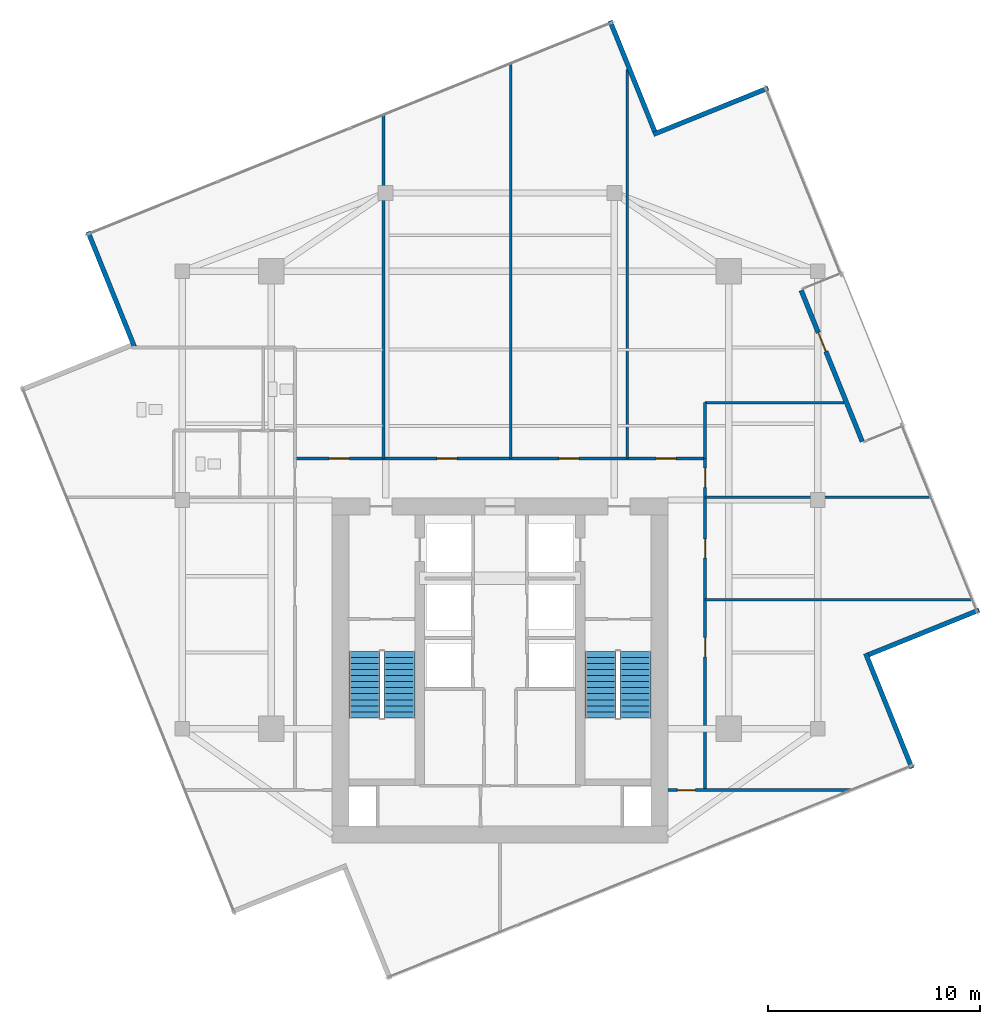
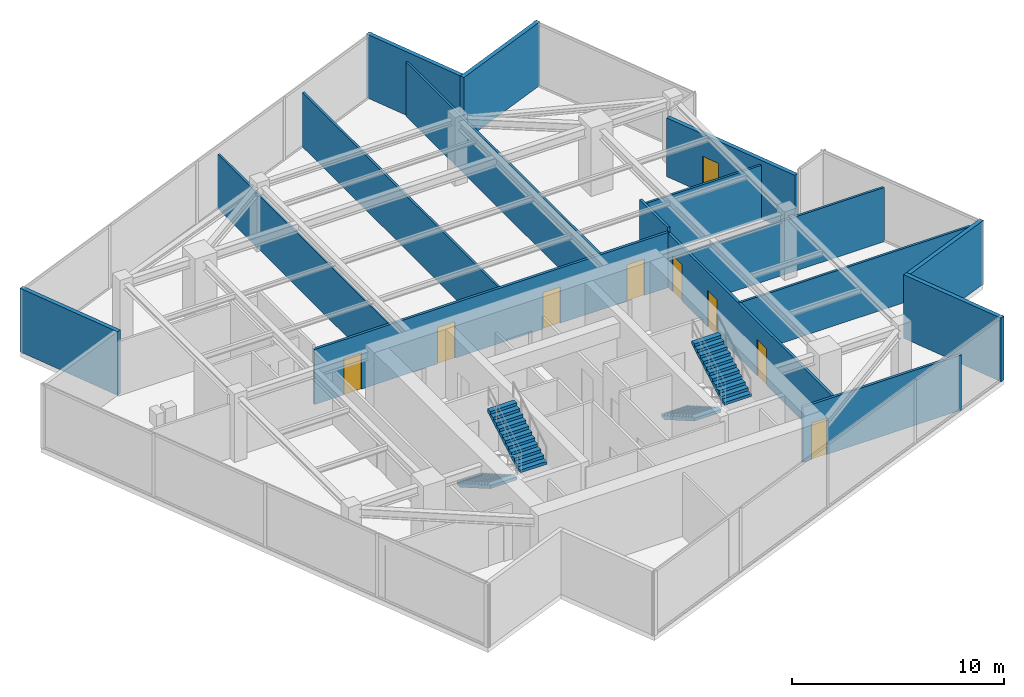
# One storey, part 19 of 21: 16 walls, 9 doors, 4 stair flights, 9 openings, 2 elements without a shape of their own.
"""IFC4 building model written with IfcOpenShell, lengths in metres."""

from ifc_helpers import new_model, si_unit, direction, frame, frame_2d, origin, place, context, subcontext, project, spatial, polyline, rectangle, outline, extrude, material, layer, layer_set, type_object, element, fill, aggregate, save


model = new_model("IFC4")

# Units and contexts
model_context = context("Model", 3, precision=1e-05, world=origin(), true_north=direction((0.0, 1.0)))
body_context = subcontext(model_context, "Body", "Model", "MODEL_VIEW")
ifc_project = project(units=[si_unit("LENGTHUNIT", "METRE"), si_unit("AREAUNIT", "SQUARE_METRE"), si_unit("VOLUMEUNIT", "CUBIC_METRE"), si_unit("PLANEANGLEUNIT", "RADIAN"), si_unit("MASSUNIT", "GRAM", prefix="KILO")], contexts=[model_context])

# Site, building, storey
site_placement = place(None, origin())
site = spatial("IfcSite", under=ifc_project, at=site_placement, CompositionType="ELEMENT")
building_placement = place(site_placement, origin())
building = spatial("IfcBuilding", under=site, at=building_placement, Name="Krantzveldt Concourse Tower", CompositionType="ELEMENT")
storey_placement = place(building_placement, frame((0.0, 0.0, 323.75)))
storey = spatial("IfcBuildingStorey", under=building, at=storey_placement, Name="L79", CompositionType="ELEMENT", Elevation=323.75)

# Walls
ifc_material_1 = material(Name="Anodised aluminium 6063-T6", Category="aluminium")
ifc_layer_1 = layer(ifc_material_1, 0.219970703125, Name="Anodised aluminium 6063-T6", Category="aluminium")
ifc_layer_set_1 = layer_set([ifc_layer_1], Name="Anodised aluminium 6063-T6 (WL-EXT-NOTCH220)")
wall_type_1 = type_object("IfcWallType", Name="WL-EXT-NOTCH220", PredefinedType="ELEMENTEDWALL", material=ifc_layer_set_1)
wall_1_placement = place(storey_placement, frame((43.302490234375, 44.102783203125, 0.0), z_axis=(0.0, 0.0, 1.0), x_axis=(-0.374613748588, 0.927180963658, 0.0)))
element("IfcWall", 1, at=wall_1_placement, inside=storey, type_object=wall_type_1, Name="EW-L79-NCH00", PredefinedType="ELEMENTEDWALL", context=body_context, shape_type="SweptSolid", body=[
    extrude(rectangle(XDim=5.625, YDim=0.219970703125, at=frame_2d((2.8125, 0.0))), origin(), (0.0, 0.0, 1.0), 3.669921875),
])
for number, where, z_axis, x_axis, name in (
    (2, (16.55078125, 39.361083984375, 0.0), (0.0, 0.0, 1.0), (0.374621884023, -0.927177676614, 0.0), "EW-L79-NCH02"),
    (3, (55.44921875, 14.038818359375, 0.0), (0.0, 0.0, 1.0), (-0.374621884023, 0.927177676614, 0.0), "EW-L79-NCH08"),
):
    element("IfcWall", number, at=place(storey_placement, frame(where, z_axis=z_axis, x_axis=x_axis)), inside=storey, type_object=wall_type_1, Name=name, PredefinedType="ELEMENTEDWALL", context=body_context, shape_type="SweptSolid", body=[
        extrude(rectangle(XDim=5.844970703125, YDim=0.219970703125, at=frame_2d((2.92236328125, 0.0))), origin(), (0.0, 0.0, 1.0), 3.669921875),
    ])
wall_2_placement = place(storey_placement, frame((53.40283203125, 19.3974609375, 0.0), z_axis=(0.0, 0.0, 1.0), x_axis=(0.927180963658, 0.374613748588, 0.0)))
element("IfcWall", 4, at=wall_2_placement, inside=storey, type_object=wall_type_1, Name="EW-L79-NCH09", PredefinedType="ELEMENTEDWALL", context=body_context, shape_type="SweptSolid", body=[
    extrude(rectangle(XDim=5.625, YDim=0.219970703125, at=frame_2d((2.8125, 0.0))), origin(), (0.0, 0.0, 1.0), 3.669921875),
])

# Wall, opening, door
wall_3_placement = place(storey_placement, frame((50.2197265625, 36.592041015625, 0.0), z_axis=(0.0, 0.0, 1.0), x_axis=(0.374628921717, -0.927174833035, 0.0)))
wall_3 = element("IfcWall", 5, at=wall_3_placement, inside=storey, type_object=wall_type_1, Name="EW-L79-TSLOT", PredefinedType="ELEMENTEDWALL", context=body_context, shape_type="SweptSolid", body=[
    extrude(rectangle(XDim=7.68994140625, YDim=0.219970703125, at=frame_2d((3.844970703125, 0.0))), origin(), (0.0, 0.0, 1.0), 3.3798828125),
])
opening_1_placement = place(wall_3_placement, frame((2.1533203125, 0.0, 0.0)))
opening_1 = element("IfcOpeningElement", 6, at=opening_1_placement, cuts=wall_3, Name="Opening D-EX95", PredefinedType="OPENING", context=body_context, shape_type="SweptSolid", body=[
    extrude(rectangle(XDim=0.949951171875, YDim=2.10009765625, at=frame_2d((0.47509765625, 1.050048828125))), frame((0.0, 0.1201171875, 0.0), z_axis=(0.0, -1.0, 0.0), x_axis=(1.0, 0.0, 0.0)), (0.0, 0.0, 1.0), 0.239990234375),
])
door_type_1 = type_object("IfcDoorType", Name="DR-EXT-950", OperationType="SINGLE_SWING_LEFT", PredefinedType="DOOR", material=ifc_material_1)
door_1_placement = place(opening_1_placement, origin())
door_1 = element("IfcDoor", 7, at=door_1_placement, inside=storey, type_object=door_type_1, Name="DR-L79-TERR", OperationType="SINGLE_SWING_LEFT", OverallHeight=2.10009765625, OverallWidth=0.949951171875, PredefinedType="DOOR", context=body_context, shape_type="SweptSolid", body=[
    extrude(rectangle(XDim=0.949951171875, YDim=2.10009765625, at=frame_2d((0.47509765625, 1.050048828125))), frame((0.0, 0.02490234375, 0.0), z_axis=(0.0, -1.0, 0.0), x_axis=(1.0, 0.0, 0.0)), (0.0, 0.0, 1.0), 0.050048828125),
])
fill(opening_1, door_1)

# Walls
wall_4_placement = place(storey_placement, frame((48.6611328125, 46.149169921875, 0.0), z_axis=(0.0, 0.0, 1.0), x_axis=(-0.927177676614, -0.374621884023, 0.0)))
element("IfcWall", 8, at=wall_4_placement, inside=storey, type_object=wall_type_1, Name="EW-L79-NCH15", PredefinedType="ELEMENTEDWALL", context=body_context, shape_type="SweptSolid", body=[
    extrude(rectangle(XDim=5.844970703125, YDim=0.219970703125, at=frame_2d((2.92236328125, 0.0))), origin(), (0.0, 0.0, 1.0), 3.669921875),
])
ifc_material_2 = material(Name="Fire-rated gypsum plasterboard on steel stud", Category="steel")
ifc_layer_2 = layer(ifc_material_2, 0.1201171875, Name="Fire-rated gypsum plasterboard on steel stud", Category="steel")
ifc_layer_set_2 = layer_set([ifc_layer_2], Name="Fire-rated gypsum plasterboard on steel stud (WL-PART-120)")
wall_type_2 = type_object("IfcWallType", Name="WL-PART-120", PredefinedType="PARTITIONING", material=ifc_layer_set_2)
wall_5_placement = place(storey_placement, frame((45.679931640625, 26.820068359375, 0.0), z_axis=(0.0, 0.0, 1.0), x_axis=(1.0, 0.0, 0.0)))
element("IfcWall", 9, at=wall_5_placement, inside=storey, type_object=wall_type_2, Name="WP-L79-PNTS", PredefinedType="PARTITIONING", context=body_context, shape_type="SweptSolid", body=[
    extrude(rectangle(XDim=10.666748046875, YDim=0.1201171875, at=frame_2d((5.33349609375, 0.0))), origin(), (0.0, 0.0, 1.0), 3.1298828125),
])
wall_6_placement = place(storey_placement, frame((45.679931640625, 31.300048828125, 0.0), z_axis=(0.0, 0.0, 1.0), x_axis=(1.0, 0.0, 0.0)))
element("IfcWall", 10, at=wall_6_placement, inside=storey, type_object=wall_type_2, Name="WP-L79-PNTN", PredefinedType="PARTITIONING", context=body_context, shape_type="SweptSolid", body=[
    extrude(rectangle(XDim=6.553955078125, YDim=0.1201171875, at=frame_2d((3.27685546875, 0.0))), origin(), (0.0, 0.0, 1.0), 3.1298828125),
])
wall_7_placement = place(storey_placement, frame((30.5, 28.659912109375, 0.0), z_axis=(0.0, 0.0, 1.0), x_axis=(0.0, 1.0, 0.0)))
element("IfcWall", 11, at=wall_7_placement, inside=storey, type_object=wall_type_2, Name="WP-L79-ND1", PredefinedType="PARTITIONING", context=body_context, shape_type="SweptSolid", body=[
    extrude(rectangle(XDim=16.212890625, YDim=0.1201171875, at=frame_2d((8.1064453125, 0.0))), origin(), (0.0, 0.0, 1.0), 3.1298828125),
])
wall_8_placement = place(storey_placement, frame((36.5, 28.659912109375, 0.0), z_axis=(0.0, 0.0, 1.0), x_axis=(0.0, 1.0, 0.0)))
element("IfcWall", 12, at=wall_8_placement, inside=storey, type_object=wall_type_2, Name="WP-L79-ND2", PredefinedType="PARTITIONING", context=body_context, shape_type="SweptSolid", body=[
    extrude(rectangle(XDim=18.63720703125, YDim=0.1201171875, at=frame_2d((9.318603515625, 0.0))), origin(), (0.0, 0.0, 1.0), 3.1298828125),
])
wall_9_placement = place(storey_placement, frame((42.0, 28.659912109375, 0.0), z_axis=(0.0, 0.0, 1.0), x_axis=(0.0, 1.0, 0.0)))
element("IfcWall", 13, at=wall_9_placement, inside=storey, type_object=wall_type_2, Name="WP-L79-ND3", PredefinedType="PARTITIONING", context=body_context, shape_type="SweptSolid", body=[
    extrude(rectangle(XDim=18.35986328125, YDim=0.1201171875, at=frame_2d((9.179931640625, 0.0))), origin(), (0.0, 0.0, 1.0), 3.1298828125),
])
wall_10_placement = place(storey_placement, frame((45.679931640625, 22.0, 0.0), z_axis=(0.0, 0.0, 1.0), x_axis=(1.0, 0.0, 0.0)))
element("IfcWall", 14, at=wall_10_placement, inside=storey, type_object=wall_type_2, Name="WP-L79-ED1", PredefinedType="PARTITIONING", context=body_context, shape_type="SweptSolid", body=[
    extrude(rectangle(XDim=12.614013671875, YDim=0.1201171875, at=frame_2d((6.30712890625, 0.0))), origin(), (0.0, 0.0, 1.0), 3.1298828125),
])

# Wall, openings, doors
ifc_layer_3 = layer(ifc_material_2, 0.139892578125, Name="Fire-rated gypsum plasterboard on steel stud", Category="steel")
ifc_layer_set_3 = layer_set([ifc_layer_3], Name="Fire-rated gypsum plasterboard on steel stud (WL-PART-140)")
wall_type_3 = type_object("IfcWallType", Name="WL-PART-140", PredefinedType="PARTITIONING", material=ifc_layer_set_3)
wall_11_placement = place(storey_placement, frame((26.320068359375, 28.659912109375, 0.0), z_axis=(0.0, 0.0, 1.0), x_axis=(1.0, 0.0, 0.0)))
wall_11 = element("IfcWall", 15, at=wall_11_placement, inside=storey, type_object=wall_type_3, Name="WP-L79-CNHDR", PredefinedType="PARTITIONING", context=body_context, shape_type="SweptSolid", body=[
    extrude(rectangle(XDim=19.35986328125, YDim=0.139892578125, at=frame_2d((9.679931640625, 0.0))), origin(), (0.0, 0.0, 1.0), 3.179931640625),
])
opening_2_placement = place(wall_11_placement, frame((1.614990234375, 0.0, 0.0)))
opening_2 = element("IfcOpeningElement", 16, at=opening_2_placement, cuts=wall_11, Name="Opening D-IN095", PredefinedType="OPENING", context=body_context, shape_type="SweptSolid", body=[
    extrude(rectangle(XDim=0.949951171875, YDim=2.10009765625, at=frame_2d((0.47509765625, 1.050048828125))), frame((0.0, 0.080078125, 0.0), z_axis=(0.0, -1.0, 0.0), x_axis=(1.0, 0.0, 0.0)), (0.0, 0.0, 1.0), 0.159912109375),
])
opening_3_placement = place(wall_11_placement, frame((6.705078125, 0.0, 0.0)))
opening_3 = element("IfcOpeningElement", 17, at=opening_3_placement, cuts=wall_11, Name="Opening D-IN095", PredefinedType="OPENING", context=body_context, shape_type="SweptSolid", body=[
    extrude(rectangle(XDim=0.949951171875, YDim=2.10009765625, at=frame_2d((0.47509765625, 1.050048828125))), frame((0.0, 0.080078125, 0.0), z_axis=(0.0, -1.0, 0.0), x_axis=(1.0, 0.0, 0.0)), (0.0, 0.0, 1.0), 0.159912109375),
])
opening_4_placement = place(wall_11_placement, frame((12.455078125, 0.0, 0.0)))
opening_4 = element("IfcOpeningElement", 18, at=opening_4_placement, cuts=wall_11, Name="Opening D-IN095", PredefinedType="OPENING", context=body_context, shape_type="SweptSolid", body=[
    extrude(rectangle(XDim=0.949951171875, YDim=2.10009765625, at=frame_2d((0.47509765625, 1.050048828125))), frame((0.0, 0.080078125, 0.0), z_axis=(0.0, -1.0, 0.0), x_axis=(1.0, 0.0, 0.0)), (0.0, 0.0, 1.0), 0.159912109375),
])
opening_5_placement = place(wall_11_placement, frame((17.044921875, 0.0, 0.0)))
opening_5 = element("IfcOpeningElement", 19, at=opening_5_placement, cuts=wall_11, Name="Opening D-IN095", PredefinedType="OPENING", context=body_context, shape_type="SweptSolid", body=[
    extrude(rectangle(XDim=0.949951171875, YDim=2.10009765625, at=frame_2d((0.47509765625, 1.050048828125))), frame((0.0, 0.080078125, 0.0), z_axis=(0.0, -1.0, 0.0), x_axis=(1.0, 0.0, 0.0)), (0.0, 0.0, 1.0), 0.159912109375),
])
ifc_material_3 = material(Name="Hardwood timber", Category="wood")
door_type_2 = type_object("IfcDoorType", Name="DR-INT-950", OperationType="SINGLE_SWING_LEFT", PredefinedType="DOOR", material=ifc_material_3)
door_2_placement = place(opening_2_placement, origin())
door_2 = element("IfcDoor", 20, at=door_2_placement, inside=storey, type_object=door_type_2, Name="DR-L79-NR1", OperationType="SINGLE_SWING_LEFT", OverallHeight=2.10009765625, OverallWidth=0.949951171875, PredefinedType="DOOR", context=body_context, shape_type="SweptSolid", body=[
    extrude(rectangle(XDim=0.949951171875, YDim=2.10009765625, at=frame_2d((0.47509765625, 1.050048828125))), frame((0.0, 0.02490234375, 0.0), z_axis=(0.0, -1.0, 0.0), x_axis=(1.0, 0.0, 0.0)), (0.0, 0.0, 1.0), 0.050048828125),
])
fill(opening_2, door_2)
door_3_placement = place(opening_3_placement, origin())
door_3 = element("IfcDoor", 21, at=door_3_placement, inside=storey, type_object=door_type_2, Name="DR-L79-NR2", OperationType="SINGLE_SWING_LEFT", OverallHeight=2.10009765625, OverallWidth=0.949951171875, PredefinedType="DOOR", context=body_context, shape_type="SweptSolid", body=[
    extrude(rectangle(XDim=0.949951171875, YDim=2.10009765625, at=frame_2d((0.47509765625, 1.050048828125))), frame((0.0, 0.02490234375, 0.0), z_axis=(0.0, -1.0, 0.0), x_axis=(1.0, 0.0, 0.0)), (0.0, 0.0, 1.0), 0.050048828125),
])
fill(opening_3, door_3)
door_4_placement = place(opening_4_placement, origin())
door_4 = element("IfcDoor", 22, at=door_4_placement, inside=storey, type_object=door_type_2, Name="DR-L79-NR3", OperationType="SINGLE_SWING_LEFT", OverallHeight=2.10009765625, OverallWidth=0.949951171875, PredefinedType="DOOR", context=body_context, shape_type="SweptSolid", body=[
    extrude(rectangle(XDim=0.949951171875, YDim=2.10009765625, at=frame_2d((0.47509765625, 1.050048828125))), frame((0.0, 0.02490234375, 0.0), z_axis=(0.0, -1.0, 0.0), x_axis=(1.0, 0.0, 0.0)), (0.0, 0.0, 1.0), 0.050048828125),
])
fill(opening_4, door_4)
door_5_placement = place(opening_5_placement, origin())
door_5 = element("IfcDoor", 23, at=door_5_placement, inside=storey, type_object=door_type_2, Name="DR-L79-NR4", OperationType="SINGLE_SWING_LEFT", OverallHeight=2.10009765625, OverallWidth=0.949951171875, PredefinedType="DOOR", context=body_context, shape_type="SweptSolid", body=[
    extrude(rectangle(XDim=0.949951171875, YDim=2.10009765625, at=frame_2d((0.47509765625, 1.050048828125))), frame((0.0, 0.02490234375, 0.0), z_axis=(0.0, -1.0, 0.0), x_axis=(1.0, 0.0, 0.0)), (0.0, 0.0, 1.0), 0.050048828125),
])
fill(opening_5, door_5)

wall_12_placement = place(storey_placement, frame((45.679931640625, 13.0, 0.0), z_axis=(0.0, 0.0, 1.0), x_axis=(0.0, 1.0, 0.0)))
wall_12 = element("IfcWall", 24, at=wall_12_placement, inside=storey, type_object=wall_type_3, Name="WP-L79-CEAST", PredefinedType="PARTITIONING", context=body_context, shape_type="SweptSolid", body=[
    extrude(rectangle(XDim=15.659912109375, YDim=0.139892578125, at=frame_2d((7.830078125, 0.0))), origin(), (0.0, 0.0, 1.0), 3.1298828125),
])
opening_6_placement = place(wall_12_placement, frame((14.300048828125, 0.0, 0.0)))
opening_6 = element("IfcOpeningElement", 25, at=opening_6_placement, cuts=wall_12, Name="Opening D-IN090", PredefinedType="OPENING", context=body_context, shape_type="SweptSolid", body=[
    extrude(rectangle(XDim=0.89990234375, YDim=2.10009765625, at=frame_2d((0.449951171875, 1.050048828125))), frame((0.0, 0.080078125, 0.0), z_axis=(0.0, -1.0, 0.0), x_axis=(1.0, 0.0, 0.0)), (0.0, 0.0, 1.0), 0.159912109375),
])
opening_7_placement = place(wall_12_placement, frame((6.300048828125, 0.0, 0.0)))
opening_7 = element("IfcOpeningElement", 26, at=opening_7_placement, cuts=wall_12, Name="Opening D-IN090", PredefinedType="OPENING", context=body_context, shape_type="SweptSolid", body=[
    extrude(rectangle(XDim=0.89990234375, YDim=2.10009765625, at=frame_2d((0.449951171875, 1.050048828125))), frame((0.0, 0.080078125, 0.0), z_axis=(0.0, -1.0, 0.0), x_axis=(1.0, 0.0, 0.0)), (0.0, 0.0, 1.0), 0.159912109375),
])
opening_8_placement = place(wall_12_placement, frame((10.9599609375, 0.0, 0.0)))
opening_8 = element("IfcOpeningElement", 27, at=opening_8_placement, cuts=wall_12, Name="Opening D-IN090", PredefinedType="OPENING", context=body_context, shape_type="SweptSolid", body=[
    extrude(rectangle(XDim=0.89990234375, YDim=2.10009765625, at=frame_2d((0.449951171875, 1.050048828125))), frame((0.0, 0.080078125, 0.0), z_axis=(0.0, -1.0, 0.0), x_axis=(1.0, 0.0, 0.0)), (0.0, 0.0, 1.0), 0.159912109375),
])
door_type_3 = type_object("IfcDoorType", Name="DR-INT-900", OperationType="SINGLE_SWING_LEFT", PredefinedType="DOOR", material=ifc_material_3)
door_6_placement = place(opening_6_placement, origin())
door_6 = element("IfcDoor", 28, at=door_6_placement, inside=storey, type_object=door_type_3, Name="DR-L79-PNT", OperationType="SINGLE_SWING_RIGHT", OverallHeight=2.10009765625, OverallWidth=0.89990234375, PredefinedType="DOOR", context=body_context, shape_type="SweptSolid", body=[
    extrude(rectangle(XDim=0.89990234375, YDim=2.10009765625, at=frame_2d((0.449951171875, 1.050048828125))), frame((0.0, 0.02490234375, 0.0), z_axis=(0.0, -1.0, 0.0), x_axis=(1.0, 0.0, 0.0)), (0.0, 0.0, 1.0), 0.050048828125),
])
fill(opening_6, door_6)
door_7_placement = place(opening_7_placement, origin())
door_7 = element("IfcDoor", 29, at=door_7_placement, inside=storey, type_object=door_type_3, Name="DR-L79-ER1", OperationType="SINGLE_SWING_LEFT", OverallHeight=2.10009765625, OverallWidth=0.89990234375, PredefinedType="DOOR", context=body_context, shape_type="SweptSolid", body=[
    extrude(rectangle(XDim=0.89990234375, YDim=2.10009765625, at=frame_2d((0.449951171875, 1.050048828125))), frame((0.0, 0.02490234375, 0.0), z_axis=(0.0, -1.0, 0.0), x_axis=(1.0, 0.0, 0.0)), (0.0, 0.0, 1.0), 0.050048828125),
])
fill(opening_7, door_7)
door_8_placement = place(opening_8_placement, origin())
door_8 = element("IfcDoor", 30, at=door_8_placement, inside=storey, type_object=door_type_3, Name="DR-L79-ER2", OperationType="SINGLE_SWING_LEFT", OverallHeight=2.10009765625, OverallWidth=0.89990234375, PredefinedType="DOOR", context=body_context, shape_type="SweptSolid", body=[
    extrude(rectangle(XDim=0.89990234375, YDim=2.10009765625, at=frame_2d((0.449951171875, 1.050048828125))), frame((0.0, 0.02490234375, 0.0), z_axis=(0.0, -1.0, 0.0), x_axis=(1.0, 0.0, 0.0)), (0.0, 0.0, 1.0), 0.050048828125),
])
fill(opening_8, door_8)

# Wall, opening, door
wall_13_placement = place(storey_placement, frame((43.919921875, 13.0, 0.0), z_axis=(0.0, 0.0, 1.0), x_axis=(1.0, 0.0, 0.0)))
wall_13 = element("IfcWall", 31, at=wall_13_placement, inside=storey, type_object=wall_type_3, Name="WP-L79-CSBOTE", PredefinedType="PARTITIONING", context=body_context, shape_type="SweptSolid", body=[
    extrude(rectangle(XDim=8.65087890625, YDim=0.139892578125, at=frame_2d((4.325439453125, 0.0))), origin(), (0.0, 0.0, 1.0), 3.179931640625),
])
opening_9_placement = place(wall_13_placement, frame((0.455078125, 0.0, 0.0)))
opening_9 = element("IfcOpeningElement", 32, at=opening_9_placement, cuts=wall_13, Name="Opening D-IN085", PredefinedType="OPENING", context=body_context, shape_type="SweptSolid", body=[
    extrude(rectangle(XDim=0.85009765625, YDim=2.10009765625, at=frame_2d((0.425048828125, 1.050048828125))), frame((0.0, 0.080078125, 0.0), z_axis=(0.0, -1.0, 0.0), x_axis=(1.0, 0.0, 0.0)), (0.0, 0.0, 1.0), 0.159912109375),
])
door_type_4 = type_object("IfcDoorType", Name="DR-INT-850", OperationType="SINGLE_SWING_LEFT", PredefinedType="DOOR", material=ifc_material_3)
door_9_placement = place(opening_9_placement, origin())
door_9 = element("IfcDoor", 33, at=door_9_placement, inside=storey, type_object=door_type_4, Name="DR-L79-SR2", OperationType="SINGLE_SWING_LEFT", OverallHeight=2.10009765625, OverallWidth=0.85009765625, PredefinedType="DOOR", context=body_context, shape_type="SweptSolid", body=[
    extrude(rectangle(XDim=0.85009765625, YDim=2.10009765625, at=frame_2d((0.425048828125, 1.050048828125))), frame((0.0, 0.02490234375, 0.0), z_axis=(0.0, -1.0, 0.0), x_axis=(1.0, 0.0, 0.0)), (0.0, 0.0, 1.0), 0.050048828125),
])
fill(opening_9, door_9)

# Wall
wall_14_placement = place(storey_placement, frame((45.679931640625, 28.659912109375, 0.0), z_axis=(0.0, 0.0, 1.0), x_axis=(0.0, 1.0, 0.0)))
element("IfcWall", 34, at=wall_14_placement, inside=storey, type_object=wall_type_3, Name="WP-L79-NER", PredefinedType="PARTITIONING", context=body_context, shape_type="SweptSolid", body=[
    extrude(rectangle(XDim=2.64013671875, YDim=0.139892578125, at=frame_2d((1.320068359375, 0.0))), origin(), (0.0, 0.0, 1.0), 3.429931640625),
])

# Stair, stair flights
ifc_material_4 = material(Name="Precast concrete C40/50", Category="concrete")
stair_type = type_object("IfcStairType", Name="STR-CORE-DOGLEG", PredefinedType="HALF_TURN_STAIR", material=ifc_material_4)
stair_1_placement = place(storey_placement, origin())
stair_1 = element("IfcStair", 35, at=stair_1_placement, inside=storey, type_object=stair_type, Name="L79 Protected Escape Stair ST-1", PredefinedType="HALF_TURN_STAIR")
stair_flight_type = type_object("IfcStairFlightType", Name="STF-CORE-1450", PredefinedType="STRAIGHT", material=ifc_material_4)
stair_flight_1_placement = place(storey_placement, frame((29.60498046875, 19.550048828125, 0.0), z_axis=(0.0, 0.0, 1.0), x_axis=(0.0, -1.0, 0.0)))
stair_flight_1 = element("IfcStairFlight", 36, at=stair_flight_1_placement, type_object=stair_flight_type, Name="ST-1 flight 1", NumberOfRisers=12, NumberOfTreads=11, PredefinedType="STRAIGHT", RiserHeight=0.164583333, TreadLength=0.285, context=body_context, shape_type="SweptSolid", body=[
    extrude(outline(polyline([(0.0, 0.0), (0.0, 0.16455078125), (0.284912109375, 0.16455078125), (0.284912109375, 0.3291015625), (0.570068359375, 0.3291015625), (0.570068359375, 0.49365234375), (0.85498046875, 0.49365234375), (0.85498046875, 0.658447265625), (1.139892578125, 0.658447265625), (1.139892578125, 0.822998046875), (1.425048828125, 0.822998046875), (1.425048828125, 0.987548828125), (1.7099609375, 0.987548828125), (1.7099609375, 1.152099609375), (1.9951171875, 1.152099609375), (1.9951171875, 1.316650390625), (2.280029296875, 1.316650390625), (2.280029296875, 1.481201171875), (2.56494140625, 1.481201171875), (2.56494140625, 1.645751953125), (2.85009765625, 1.645751953125), (2.85009765625, 1.810302734375), (3.135009765625, 1.810302734375), (3.135009765625, 1.97509765625), (3.135009765625, 1.63720703125), (0.2998046875, 0.0), (0.0, 0.0)])), frame((0.0, 0.72509765625, 0.0), z_axis=(0.0, -1.0, 0.0), x_axis=(1.0, 0.0, 0.0)), (0.0, 0.0, 1.0), 1.449951171875),
])
stair_flight_2_placement = place(storey_placement, frame((31.2548828125, 16.4150390625, 1.97509765625), z_axis=(0.0, 0.0, 1.0), x_axis=(0.0, 1.0, 0.0)))
stair_flight_2 = element("IfcStairFlight", 37, at=stair_flight_2_placement, type_object=stair_flight_type, Name="ST-1 flight 2", NumberOfRisers=12, NumberOfTreads=11, PredefinedType="STRAIGHT", RiserHeight=0.164583333, TreadLength=0.285, context=body_context, shape_type="SweptSolid", body=[
    extrude(outline(polyline([(0.0, 0.0), (0.0, 0.16455078125), (0.284912109375, 0.16455078125), (0.284912109375, 0.3291015625), (0.570068359375, 0.3291015625), (0.570068359375, 0.49365234375), (0.85498046875, 0.49365234375), (0.85498046875, 0.658447265625), (1.139892578125, 0.658447265625), (1.139892578125, 0.822998046875), (1.425048828125, 0.822998046875), (1.425048828125, 0.987548828125), (1.7099609375, 0.987548828125), (1.7099609375, 1.152099609375), (1.9951171875, 1.152099609375), (1.9951171875, 1.316650390625), (2.280029296875, 1.316650390625), (2.280029296875, 1.481201171875), (2.56494140625, 1.481201171875), (2.56494140625, 1.645751953125), (2.85009765625, 1.645751953125), (2.85009765625, 1.810302734375), (3.135009765625, 1.810302734375), (3.135009765625, 1.97509765625), (3.135009765625, 1.63720703125), (0.2998046875, 0.0), (0.0, 0.0)])), frame((0.0, 0.72509765625, 0.0), z_axis=(0.0, -1.0, 0.0), x_axis=(1.0, 0.0, 0.0)), (0.0, 0.0, 1.0), 1.449951171875),
])
aggregate(stair_1, [stair_flight_1, stair_flight_2])

stair_2_placement = place(storey_placement, origin())
stair_2 = element("IfcStair", 38, at=stair_2_placement, inside=storey, type_object=stair_type, Name="L79 Protected Escape Stair ST-2", PredefinedType="HALF_TURN_STAIR")
stair_flight_3_placement = place(storey_placement, frame((40.7451171875, 19.550048828125, 0.0), z_axis=(0.0, 0.0, 1.0), x_axis=(0.0, -1.0, 0.0)))
stair_flight_3 = element("IfcStairFlight", 39, at=stair_flight_3_placement, type_object=stair_flight_type, Name="ST-2 flight 1", NumberOfRisers=12, NumberOfTreads=11, PredefinedType="STRAIGHT", RiserHeight=0.164583333, TreadLength=0.285, context=body_context, shape_type="SweptSolid", body=[
    extrude(outline(polyline([(0.0, 0.0), (0.0, 0.16455078125), (0.284912109375, 0.16455078125), (0.284912109375, 0.3291015625), (0.570068359375, 0.3291015625), (0.570068359375, 0.49365234375), (0.85498046875, 0.49365234375), (0.85498046875, 0.658447265625), (1.139892578125, 0.658447265625), (1.139892578125, 0.822998046875), (1.425048828125, 0.822998046875), (1.425048828125, 0.987548828125), (1.7099609375, 0.987548828125), (1.7099609375, 1.152099609375), (1.9951171875, 1.152099609375), (1.9951171875, 1.316650390625), (2.280029296875, 1.316650390625), (2.280029296875, 1.481201171875), (2.56494140625, 1.481201171875), (2.56494140625, 1.645751953125), (2.85009765625, 1.645751953125), (2.85009765625, 1.810302734375), (3.135009765625, 1.810302734375), (3.135009765625, 1.97509765625), (3.135009765625, 1.63720703125), (0.2998046875, 0.0), (0.0, 0.0)])), frame((0.0, 0.72509765625, 0.0), z_axis=(0.0, -1.0, 0.0), x_axis=(1.0, 0.0, 0.0)), (0.0, 0.0, 1.0), 1.449951171875),
])
stair_flight_4_placement = place(storey_placement, frame((42.39501953125, 16.4150390625, 1.97509765625), z_axis=(0.0, 0.0, 1.0), x_axis=(0.0, 1.0, 0.0)))
stair_flight_4 = element("IfcStairFlight", 40, at=stair_flight_4_placement, type_object=stair_flight_type, Name="ST-2 flight 2", NumberOfRisers=12, NumberOfTreads=11, PredefinedType="STRAIGHT", RiserHeight=0.164583333, TreadLength=0.285, context=body_context, shape_type="SweptSolid", body=[
    extrude(outline(polyline([(0.0, 0.0), (0.0, 0.16455078125), (0.284912109375, 0.16455078125), (0.284912109375, 0.3291015625), (0.570068359375, 0.3291015625), (0.570068359375, 0.49365234375), (0.85498046875, 0.49365234375), (0.85498046875, 0.658447265625), (1.139892578125, 0.658447265625), (1.139892578125, 0.822998046875), (1.425048828125, 0.822998046875), (1.425048828125, 0.987548828125), (1.7099609375, 0.987548828125), (1.7099609375, 1.152099609375), (1.9951171875, 1.152099609375), (1.9951171875, 1.316650390625), (2.280029296875, 1.316650390625), (2.280029296875, 1.481201171875), (2.56494140625, 1.481201171875), (2.56494140625, 1.645751953125), (2.85009765625, 1.645751953125), (2.85009765625, 1.810302734375), (3.135009765625, 1.810302734375), (3.135009765625, 1.97509765625), (3.135009765625, 1.63720703125), (0.2998046875, 0.0), (0.0, 0.0)])), frame((0.0, 0.72509765625, 0.0), z_axis=(0.0, -1.0, 0.0), x_axis=(1.0, 0.0, 0.0)), (0.0, 0.0, 1.0), 1.449951171875),
])
aggregate(stair_2, [stair_flight_3, stair_flight_4])

save(model, "model.ifc")
